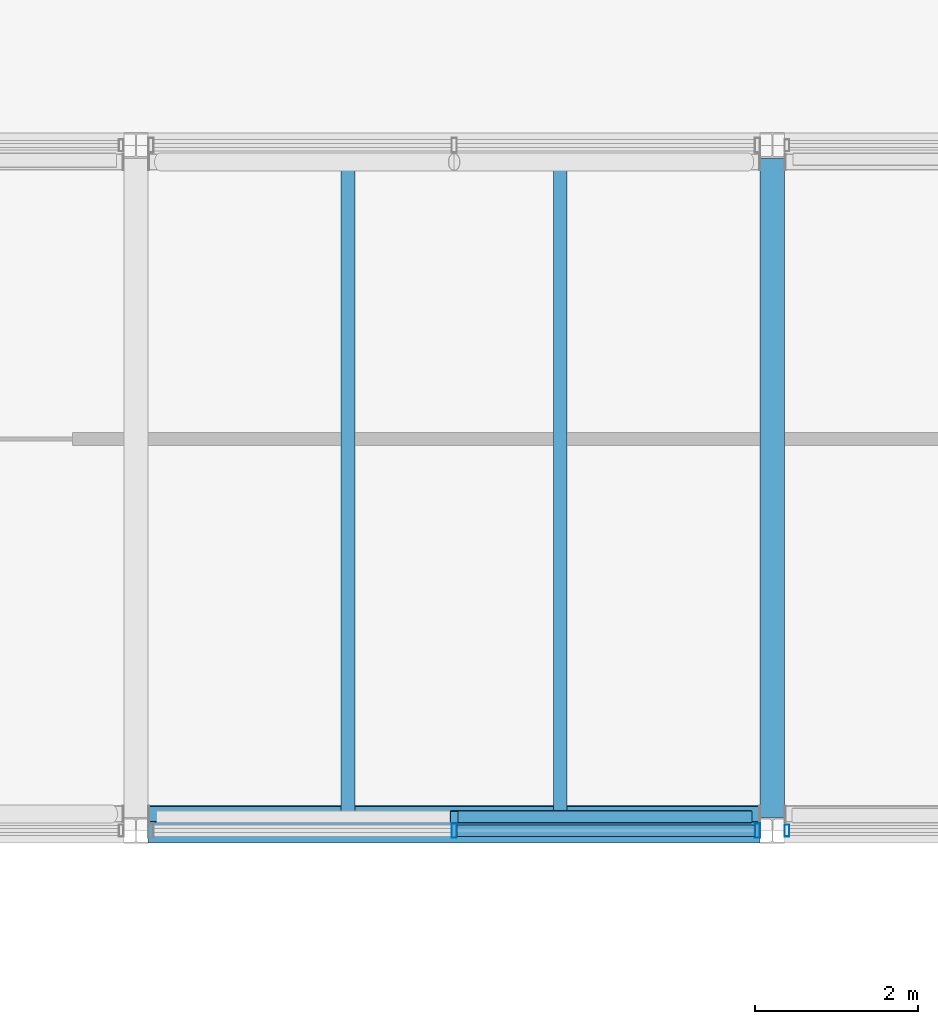
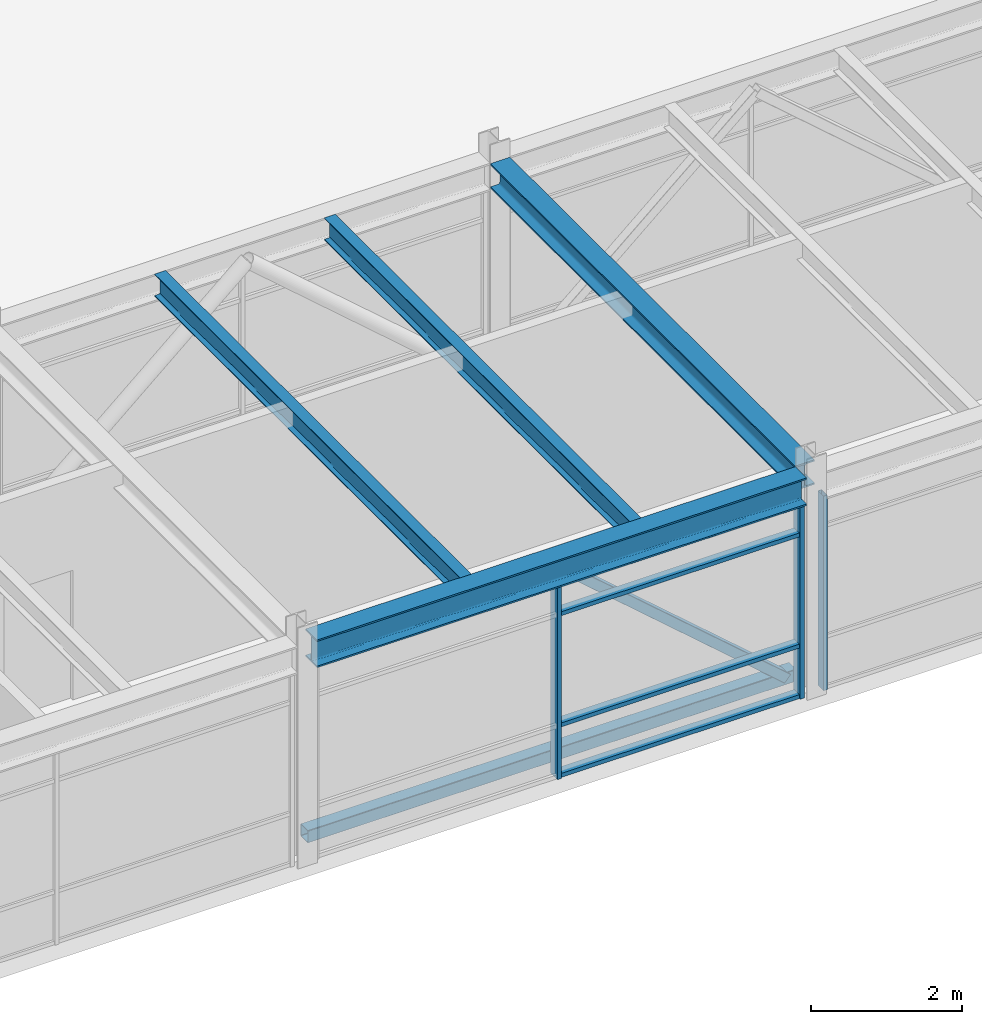
# One storey, part 12 of 72: 9 members, 4 beams, 2 elements without a shape of their own.
"""IFC4 building model written with IfcOpenShell, lengths in metres."""

from ifc_helpers import new_model, si_unit, direction, frame, origin, origin_2d, place, context, subcontext, project, spatial, hollow_rectangle, i_section, extrude, material, material_profile, profile_set, type_object, element, aggregate, save


model = new_model("IFC4")

# Units and contexts
model_context = context("Model", 3, precision=1e-05, world=origin(), true_north=direction((0.0, 1.0)))
body_context = subcontext(model_context, "Body", "Model", "MODEL_VIEW")
ifc_project = project(units=[si_unit("LENGTHUNIT", "METRE"), si_unit("AREAUNIT", "SQUARE_METRE"), si_unit("VOLUMEUNIT", "CUBIC_METRE"), si_unit("PLANEANGLEUNIT", "RADIAN"), si_unit("MASSUNIT", "GRAM", prefix="KILO"), si_unit("THERMODYNAMICTEMPERATUREUNIT", "KELVIN"), si_unit("POWERUNIT", "WATT")], contexts=[model_context])

# Site, building, storey
site_placement = place(None, origin())
site = spatial("IfcSite", under=ifc_project, at=site_placement, CompositionType="ELEMENT")
building_placement = place(site_placement, origin())
building = spatial("IfcBuilding", under=site, at=building_placement, Name="Srebrne Nadtorze General Hospital", CompositionType="ELEMENT")
storey_placement = place(building_placement, frame((0.0, 0.0, 22.199951171875)))
storey = spatial("IfcBuildingStorey", under=building, at=storey_placement, Name="L05", CompositionType="ELEMENT", Elevation=22.199951171875)

# Beams
ifc_material_1 = material(Name="Steel S355J2", Category="steel")
ifc_material_profile_1 = material_profile(ifc_material_1, i_section(OverallWidth=0.300048828125, OverallDepth=0.39990234375, WebThickness=0.013427734375, FlangeThickness=0.02392578125, FilletRadius=0.027099609375, at=origin_2d()), Name="HEB-400")
ifc_profile_set_1 = profile_set([ifc_material_profile_1], Name="Steel S355J2")
beam_type_1 = type_object("IfcBeamType", Name="Courtyard bridge girder HEB 400", PredefinedType="BEAM", material=ifc_profile_set_1)
beam_1_placement = place(storey_placement, frame((70.199951171875, 50.56005859375, 3.400146484375), z_axis=(0.0, 1.0, 0.0), x_axis=(-1.0, 0.0, 0.0)))
element("IfcBeam", 1, at=beam_1_placement, inside=storey, type_object=beam_type_1, Name="Beam BM-L05-Y-1089", PredefinedType="BEAM", context=body_context, shape_type="SweptSolid", body=[
    extrude(i_section(OverallWidth=0.300048828125, OverallDepth=0.39990234375, WebThickness=0.013427734375, FlangeThickness=0.02392578125, FilletRadius=0.027099609375, at=origin_2d()), origin(), (0.0, 0.0, 1.0), 8.079833984375),
])
ifc_material_2 = material(Name="Steel S355J2", Category="steel")
ifc_material_profile_2 = material_profile(ifc_material_2, i_section(OverallWidth=0.300048828125, OverallDepth=0.449951171875, WebThickness=0.013916015625, FlangeThickness=0.02587890625, FilletRadius=0.027099609375, at=origin_2d()), Name="HEB-450")
ifc_profile_set_2 = profile_set([ifc_material_profile_2], Name="Steel S355J2")
beam_type_2 = type_object("IfcBeamType", Name="Courtyard bridge girder HEB 450", PredefinedType="BEAM", material=ifc_profile_set_2)
beam_2_placement = place(storey_placement, frame((62.550048828125, 50.39990234375, 3.375), z_axis=(1.0, 0.0, 0.0), x_axis=(0.0, 1.0, 0.0)))
element("IfcBeam", 2, at=beam_2_placement, inside=storey, type_object=beam_type_2, Name="Beam BM-L05-X-1023", PredefinedType="BEAM", context=body_context, shape_type="SweptSolid", body=[
    extrude(i_section(OverallWidth=0.300048828125, OverallDepth=0.449951171875, WebThickness=0.013916015625, FlangeThickness=0.02587890625, FilletRadius=0.027099609375, at=origin_2d()), origin(), (0.0, 0.0, 1.0), 7.5),
])

# Curtain wall, member
ifc_material_3 = material(Name="Anodised Aluminium", Category="aluminium")
curtain_wall_type = type_object("IfcCurtainWallType", Name="Bridge curtain wall 7500x3150", PredefinedType="NOTDEFINED", material=ifc_material_3)
curtain_wall_1_placement = place(storey_placement, origin())
curtain_wall_1 = element("IfcCurtainWall", 3, at=curtain_wall_1_placement, inside=storey, type_object=curtain_wall_type, Name="Curtain wall CW-120", PredefinedType="NOTDEFINED")
ifc_material_4 = material(Name="Anodised Aluminium", Category="aluminium")
ifc_material_profile_3 = material_profile(ifc_material_4, hollow_rectangle(XDim=0.06005859375, YDim=0.14990234375, WallThickness=0.00390625, at=origin_2d()), Name="AL-MUL-60x150")
ifc_profile_set_3 = profile_set([ifc_material_profile_3], Name="Anodised Aluminium")
member_type_1 = type_object("IfcMemberType", Name="Curtain mullion 60x150", PredefinedType="MULLION", material=ifc_profile_set_3)
member_1_placement = place(storey_placement, frame((70.3798828125, 50.39990234375, 0.0), z_axis=(0.0, 0.0, 1.0), x_axis=(1.0, 0.0, 0.0)))
member_1 = element("IfcMember", 4, at=member_1_placement, type_object=member_type_1, Name="CW-120 mullion 1", PredefinedType="MULLION", context=body_context, shape_type="SweptSolid", body=[
    extrude(hollow_rectangle(XDim=0.06005859375, YDim=0.14990234375, WallThickness=0.00390625, at=origin_2d()), origin(), (0.0, 0.0, 1.0), 3.150146484375),
])
aggregate(curtain_wall_1, [member_1])

# Curtain wall, members
curtain_wall_2_placement = place(storey_placement, origin())
curtain_wall_2 = element("IfcCurtainWall", 5, at=curtain_wall_2_placement, inside=storey, type_object=curtain_wall_type, Name="Curtain wall CW-119", PredefinedType="NOTDEFINED")
ifc_material_5 = material(Name="Anodised Aluminium", Category="aluminium")
ifc_material_profile_4 = material_profile(ifc_material_5, hollow_rectangle(XDim=0.06494140625, YDim=0.179931640625, WallThickness=0.00390625, at=origin_2d()), Name="AL-MUL-65x180")
ifc_profile_set_4 = profile_set([ifc_material_profile_4], Name="Anodised Aluminium")
member_type_2 = type_object("IfcMemberType", Name="Curtain mullion 65x180", PredefinedType="MULLION", material=ifc_profile_set_4)
member_2_placement = place(storey_placement, frame((66.300048828125, 50.39990234375, 0.0), z_axis=(0.0, 0.0, 1.0), x_axis=(1.0, 0.0, 0.0)))
member_2 = element("IfcMember", 6, at=member_2_placement, type_object=member_type_2, Name="CW-119 mullion 2", PredefinedType="MULLION", context=body_context, shape_type="SweptSolid", body=[
    extrude(hollow_rectangle(XDim=0.06494140625, YDim=0.179931640625, WallThickness=0.00390625, at=origin_2d()), origin(), (0.0, 0.0, 1.0), 3.150146484375),
])
member_3_placement = place(storey_placement, frame((70.017578125, 50.39990234375, 0.0), z_axis=(0.0, 0.0, 1.0), x_axis=(1.0, 0.0, 0.0)))
member_3 = element("IfcMember", 7, at=member_3_placement, type_object=member_type_2, Name="CW-119 mullion 3", PredefinedType="MULLION", context=body_context, shape_type="SweptSolid", body=[
    extrude(hollow_rectangle(XDim=0.06494140625, YDim=0.179931640625, WallThickness=0.00390625, at=origin_2d()), origin(), (0.0, 0.0, 1.0), 3.150146484375),
])
ifc_material_6 = material(Name="Anodised Aluminium", Category="aluminium")
ifc_material_profile_5 = material_profile(ifc_material_6, hollow_rectangle(XDim=0.06494140625, YDim=0.139892578125, WallThickness=0.00390625, at=origin_2d()), Name="AL-TRN-65x140")
ifc_profile_set_5 = profile_set([ifc_material_profile_5], Name="Anodised Aluminium")
member_type_3 = type_object("IfcMemberType", Name="Curtain transom 65x140", PredefinedType="USERDEFINED", material=ifc_profile_set_5)
member_4_placement = place(storey_placement, frame((66.33251953125, 50.39990234375, 0.032470703125), z_axis=(1.0, 0.0, 0.0), x_axis=(0.0, 0.0, 1.0)))
member_4 = element("IfcMember", 8, at=member_4_placement, type_object=member_type_3, Name="CW-119 transom 2.1", ObjectType="TRANSOM", PredefinedType="USERDEFINED", context=body_context, shape_type="SweptSolid", body=[
    extrude(hollow_rectangle(XDim=0.06494140625, YDim=0.139892578125, WallThickness=0.00390625, at=origin_2d()), origin(), (0.0, 0.0, 1.0), 3.652587890625),
])
member_5_placement = place(storey_placement, frame((66.33251953125, 50.39990234375, 0.85009765625), z_axis=(1.0, 0.0, 0.0), x_axis=(0.0, 0.0, 1.0)))
member_5 = element("IfcMember", 9, at=member_5_placement, type_object=member_type_3, Name="CW-119 transom 2.2", ObjectType="TRANSOM", PredefinedType="USERDEFINED", context=body_context, shape_type="SweptSolid", body=[
    extrude(hollow_rectangle(XDim=0.06494140625, YDim=0.139892578125, WallThickness=0.00390625, at=origin_2d()), origin(), (0.0, 0.0, 1.0), 3.652587890625),
])
member_6_placement = place(storey_placement, frame((66.33251953125, 50.39990234375, 2.650146484375), z_axis=(1.0, 0.0, 0.0), x_axis=(0.0, 0.0, 1.0)))
member_6 = element("IfcMember", 10, at=member_6_placement, type_object=member_type_3, Name="CW-119 transom 2.3", ObjectType="TRANSOM", PredefinedType="USERDEFINED", context=body_context, shape_type="SweptSolid", body=[
    extrude(hollow_rectangle(XDim=0.06494140625, YDim=0.139892578125, WallThickness=0.00390625, at=origin_2d()), origin(), (0.0, 0.0, 1.0), 3.652587890625),
])
member_7_placement = place(storey_placement, frame((66.33251953125, 50.39990234375, 3.117431640625), z_axis=(1.0, 0.0, 0.0), x_axis=(0.0, 0.0, 1.0)))
member_7 = element("IfcMember", 11, at=member_7_placement, type_object=member_type_3, Name="CW-119 transom 2.4", ObjectType="TRANSOM", PredefinedType="USERDEFINED", context=body_context, shape_type="SweptSolid", body=[
    extrude(hollow_rectangle(XDim=0.06494140625, YDim=0.139892578125, WallThickness=0.00390625, at=origin_2d()), origin(), (0.0, 0.0, 1.0), 3.652587890625),
])
aggregate(curtain_wall_2, [member_2, member_3, member_4, member_5, member_6, member_7])

# Beams
ifc_material_7 = material(Name="Steel S355J2", Category="steel")
ifc_material_profile_6 = material_profile(ifc_material_7, i_section(OverallWidth=0.169921875, OverallDepth=0.360107421875, WebThickness=0.008056640625, FlangeThickness=0.0126953125, FilletRadius=0.01806640625, at=origin_2d()), Name="IPE-360")
ifc_profile_set_6 = profile_set([ifc_material_profile_6], Name="Steel S355J2")
beam_type_3 = type_object("IfcBeamType", Name="Deck joist IPE 360", PredefinedType="JOIST", material=ifc_profile_set_6)
for number, where, z_axis, x_axis, name in (
    (12, (65.0, 50.544921875, 3.420166015625), (0.0, 1.0, 0.0), (-1.0, 0.0, 0.0), "Clinical courtyard bridge deck joist 154"),
    (13, (67.60009765625, 50.544921875, 3.420166015625), (0.0, 1.0, 0.0), (-1.0, 0.0, 0.0), "Clinical courtyard bridge deck joist 155"),
):
    element("IfcBeam", number, at=place(storey_placement, frame(where, z_axis=z_axis, x_axis=x_axis)), inside=storey, type_object=beam_type_3, Name=name, PredefinedType="JOIST", context=body_context, shape_type="SweptSolid", body=[
        extrude(i_section(OverallWidth=0.169921875, OverallDepth=0.360107421875, WebThickness=0.008056640625, FlangeThickness=0.0126953125, FilletRadius=0.01806640625, at=origin_2d()), origin(), (0.0, 0.0, 1.0), 8.110107421875),
    ])

# Members
ifc_material_8 = material(Name="Steel S355J2", Category="steel")
ifc_material_profile_7 = material_profile(ifc_material_8, hollow_rectangle(XDim=0.199951171875, YDim=0.199951171875, WallThickness=0.010009765625, InnerFilletRadius=0.010009765625, OuterFilletRadius=0.014892578125, at=origin_2d()), Name="SHS-200x200x10")
ifc_profile_set_7 = profile_set([ifc_material_profile_7], Name="Steel S355J2")
member_type_4 = type_object("IfcMemberType", Name="Truss chord SHS 200x200x10", PredefinedType="CHORD", material=ifc_profile_set_7)
member_8_placement = place(storey_placement, frame((62.56201171875, 50.60498046875, 0.25), z_axis=(1.0, 0.0, 0.0), x_axis=(0.0, 1.0, 0.0)))
element("IfcMember", 14, at=member_8_placement, inside=storey, type_object=member_type_4, Name="Clinical courtyard bridge truss chord 2", PredefinedType="CHORD", context=body_context, shape_type="SweptSolid", body=[
    extrude(hollow_rectangle(XDim=0.199951171875, YDim=0.199951171875, WallThickness=0.010009765625, InnerFilletRadius=0.010009765625, OuterFilletRadius=0.014892578125, at=origin_2d()), origin(), (0.0, 0.0, 1.0), 7.47607421875),
])
ifc_material_9 = material(Name="Steel S355J2", Category="steel")
ifc_material_profile_8 = material_profile(ifc_material_9, hollow_rectangle(XDim=0.14990234375, YDim=0.14990234375, WallThickness=0.00634765625, InnerFilletRadius=0.006103515625, OuterFilletRadius=0.009033203125, at=origin_2d()), Name="SHS-150x150x6.3")
ifc_profile_set_8 = profile_set([ifc_material_profile_8], Name="Steel S355J2")
member_type_5 = type_object("IfcMemberType", Name="Wind brace SHS 150x150x6.3", PredefinedType="BRACE", material=ifc_profile_set_8)
member_9_placement = place(storey_placement, frame((69.89990234375, 50.570068359375, 0.25), z_axis=(-0.754624252348, 0.0, 0.656157174592), x_axis=(0.0, -1.0, 0.0)))
element("IfcMember", 15, at=member_9_placement, inside=storey, type_object=member_type_5, Name="Clinical courtyard bridge brace 4", PredefinedType="BRACE", context=body_context, shape_type="SweptSolid", body=[
    extrude(hollow_rectangle(XDim=0.14990234375, YDim=0.14990234375, WallThickness=0.00634765625, InnerFilletRadius=0.006103515625, OuterFilletRadius=0.009033203125, at=origin_2d()), origin(), (0.0, 0.0, 1.0), 4.7705078125),
])

save(model, "model.ifc")
